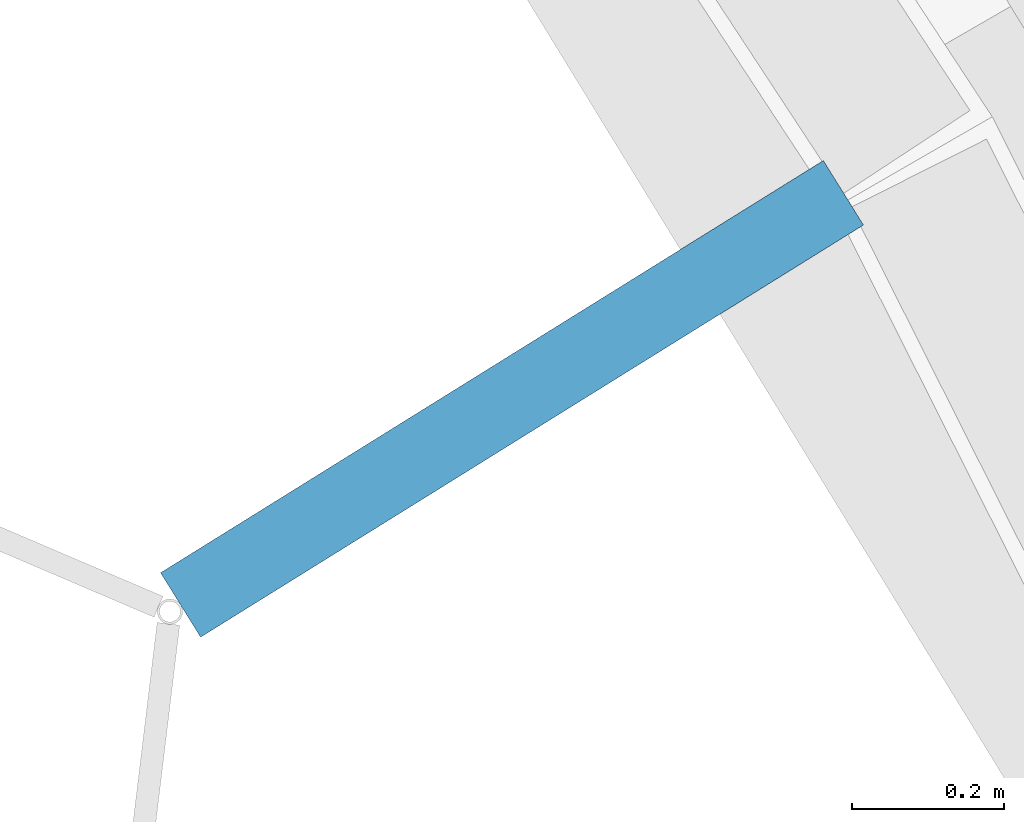
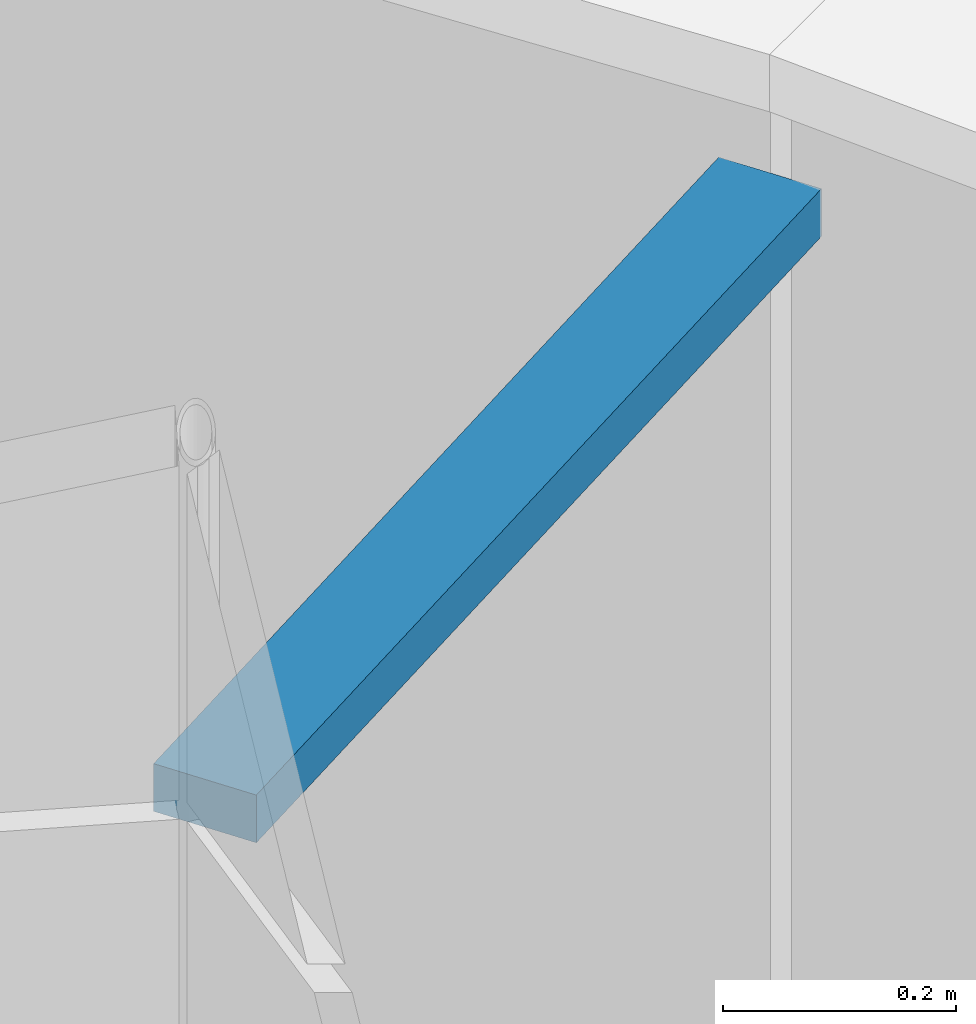
# One storey, part 253 of 483: 1 discrete accessory.
"""IFC4 building model written with IfcOpenShell, lengths in metres."""

from ifc_helpers import new_model, si_unit, direction, frame, origin, origin_2d, place, context, subcontext, project, spatial, rectangle, extrude, material, type_object, element, save


model = new_model("IFC4")

# Units and contexts
model_context = context("Model", 3, precision=1e-05, world=origin(), true_north=direction((0.0, 1.0)))
body_context = subcontext(model_context, "Body", "Model", "MODEL_VIEW")
ifc_project = project(units=[si_unit("LENGTHUNIT", "METRE"), si_unit("AREAUNIT", "SQUARE_METRE"), si_unit("VOLUMEUNIT", "CUBIC_METRE"), si_unit("PLANEANGLEUNIT", "RADIAN"), si_unit("MASSUNIT", "GRAM", prefix="KILO")], contexts=[model_context])

# Site, building, storey
site_placement = place(None, origin())
site = spatial("IfcSite", under=ifc_project, at=site_placement, CompositionType="ELEMENT")
building_placement = place(site_placement, origin())
building = spatial("IfcBuilding", under=site, at=building_placement, Name="Parallax Yard Mobility Hub", CompositionType="ELEMENT")
storey_placement = place(building_placement, frame((0.0, 0.0, 13.199951171875)))
storey = spatial("IfcBuildingStorey", under=building, at=storey_placement, Name="L04", CompositionType="ELEMENT", Elevation=13.199951171875)

# Discrete accessory
ifc_material = material(Name="Steel ASTM A36, hot-dip galvanised", Category="steel")
discrete_accessory_type = type_object("IfcDiscreteAccessoryType", Name="Hinge bracket plate 100x50", PredefinedType="BRACKET", material=ifc_material)
discrete_accessory_placement = place(storey_placement, frame((191.58251953125, 101.010986328125, 1.06982421875), z_axis=(0.0, 0.0, 1.0), x_axis=(-0.849202181527, -0.52806785065, 0.0)))
element("IfcDiscreteAccessory", 1, at=discrete_accessory_placement, inside=storey, type_object=discrete_accessory_type, Name="Hinge bracket plate bay 21.3 level L04", PredefinedType="BRACKET", context=body_context, shape_type="SweptSolid", body=[
    extrude(rectangle(XDim=1.030029296875, YDim=0.10009765625, at=origin_2d()), origin(), (0.0, 0.0, 1.0), 0.050048828125),
])

save(model, "model.ifc")
